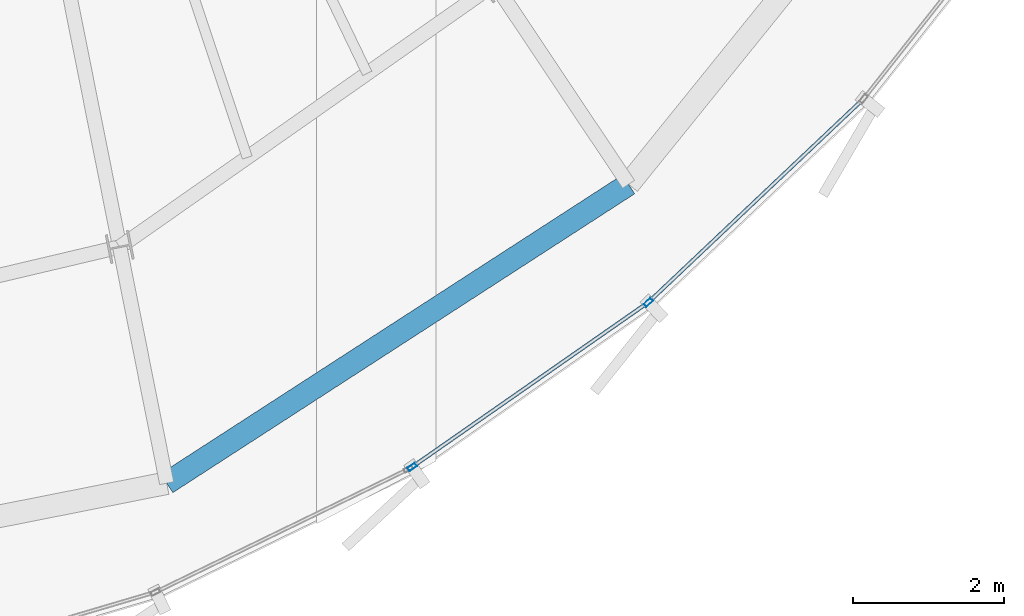
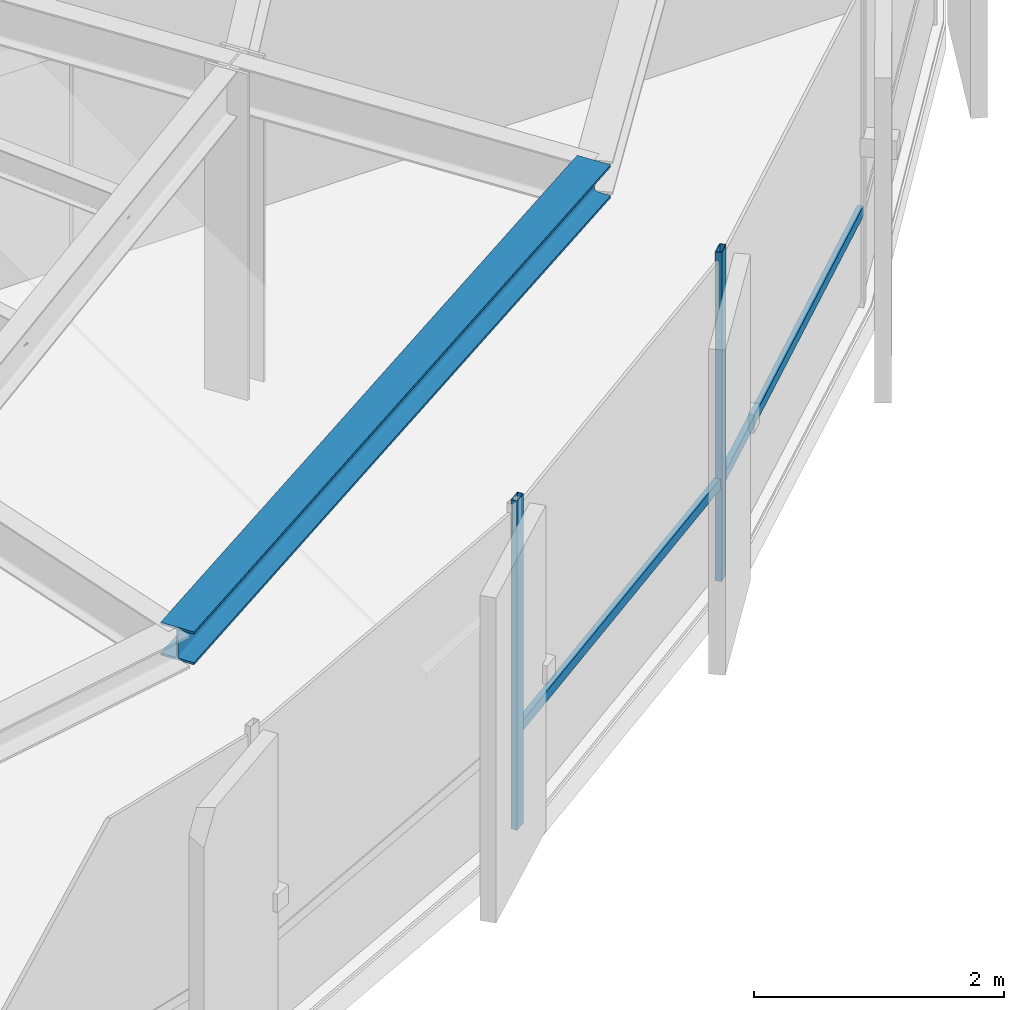
# One storey, part 7 of 34: 4 members, 1 beam, 1 element without a shape of its own.
"""IFC4 building model written with IfcOpenShell, lengths in metres."""

from ifc_helpers import new_model, si_unit, direction, frame, origin, origin_2d, place, context, subcontext, project, spatial, hollow_rectangle, i_section, extrude, source, transform, mapped, material, layer, layer_set, material_profile, profile_set, type_object, element, aggregate, save


model = new_model("IFC4")

# Units and contexts
model_context = context("Model", 3, precision=1e-05, world=origin(), true_north=direction((0.0, 1.0)))
body_context = subcontext(model_context, "Body", "Model", "MODEL_VIEW")
ifc_project = project(units=[si_unit("LENGTHUNIT", "METRE"), si_unit("AREAUNIT", "SQUARE_METRE"), si_unit("VOLUMEUNIT", "CUBIC_METRE"), si_unit("PLANEANGLEUNIT", "RADIAN"), si_unit("MASSUNIT", "GRAM", prefix="KILO"), si_unit("THERMODYNAMICTEMPERATUREUNIT", "KELVIN")], contexts=[model_context])

# Site, building, storey
site_placement = place(None, origin())
site = spatial("IfcSite", under=ifc_project, at=site_placement, CompositionType="ELEMENT")
building_placement = place(site_placement, origin())
building = spatial("IfcBuilding", under=site, at=building_placement, Name="Kethvar Cultural Tower", CompositionType="ELEMENT")
storey_placement = place(building_placement, frame((0.0, 0.0, 259.449951171875)))
storey = spatial("IfcBuildingStorey", under=building, at=storey_placement, Name="L68", CompositionType="ELEMENT", Elevation=259.449951171875)

# Beam
ifc_material_1 = material(Name="Steel S355J2", Category="steel")
ifc_material_profile_1 = material_profile(ifc_material_1, i_section(OverallWidth=0.300048828125, OverallDepth=0.320068359375, WebThickness=0.011474609375, FlangeThickness=0.0205078125, FilletRadius=0.027099609375, at=origin_2d()), Name="Steel S355J2 — HEB320")
ifc_profile_set_1 = profile_set([ifc_material_profile_1], Name="Steel S355J2 — HEB320")
beam_type = type_object("IfcBeamType", Name="BM-SP320", PredefinedType="SPANDREL", material=ifc_profile_set_1)
shared_shape_1 = source(origin(), body_context, "Body", "SweptSolid", [
    extrude(i_section(OverallWidth=0.300048828125, OverallDepth=0.320068359375, WebThickness=0.011474609375, FlangeThickness=0.0205078125, FilletRadius=0.027099609375, at=origin_2d()), origin(), (0.0, 0.0, 1.0), 7.309326171875),
])
beam_placement = place(storey_placement, frame((50.52587890625, 9.068359375, 3.048095703125), z_axis=(0.839562091992, 0.543263742292, 0.0), x_axis=(-0.543263742292, 0.839562091992, 0.0)))
element("IfcBeam", 1, at=beam_placement, inside=storey, type_object=beam_type, Name="L68 Perimeter Spandrel Beam SP-13", PredefinedType="SPANDREL", context=body_context, shape_type="MappedRepresentation", body=[
    mapped(shared_shape_1, transform((0.0, 0.0, 0.0), scale=1.0)),
])

# Curtain wall, members
ifc_material_2 = material(Name="Aluminium 6063-T6", Category="aluminium")
ifc_layer = layer(ifc_material_2, 0.179931640625, Name="Aluminium 6063-T6", Category="aluminium")
ifc_layer_set = layer_set([ifc_layer], Name="Aluminium 6063-T6 (180 mm)")
curtain_wall_type = type_object("IfcCurtainWallType", Name="CW-SYS-05-Z56", PredefinedType="NOTDEFINED", material=ifc_layer_set)
curtain_wall_placement = place(storey_placement, origin())
curtain_wall = element("IfcCurtainWall", 2, at=curtain_wall_placement, inside=storey, type_object=curtain_wall_type, Name="L68 Curtain Wall Run 05", PredefinedType="NOTDEFINED")
ifc_material_profile_2 = material_profile(ifc_material_2, hollow_rectangle(XDim=0.054931640625, YDim=0.1201171875, WallThickness=0.00390625, at=origin_2d()), Name="Aluminium 6063-T6 — RHS120x55x4")
ifc_profile_set_2 = profile_set([ifc_material_profile_2], Name="Aluminium 6063-T6 — RHS120x55x4")
member_type_1 = type_object("IfcMemberType", Name="CW-SYS-05-Z56-MUL", PredefinedType="MULLION", material=ifc_profile_set_2)
shared_shape_2 = source(origin(), body_context, "Body", "SweptSolid", [
    extrude(hollow_rectangle(XDim=0.054931640625, YDim=0.1201171875, WallThickness=0.00390625, at=origin_2d()), origin(), (0.0, 0.0, 1.0), 3.2099609375),
])
member_1_placement = place(storey_placement, frame((53.78662109375, 9.283935546875, 0.0), z_axis=(0.0, 0.0, 1.0), x_axis=(-0.57184523366, 0.820361523196, 0.0)))
member_1 = element("IfcMember", 3, at=member_1_placement, type_object=member_type_1, Name="CW-L68-R05 Mullion 1", PredefinedType="MULLION", context=body_context, shape_type="MappedRepresentation", body=[
    mapped(shared_shape_2, transform((0.0, 0.0, 0.0), scale=1.0)),
])
member_2_placement = place(storey_placement, frame((56.9248046875, 11.469970703125, 0.0), z_axis=(0.0, 0.0, 1.0), x_axis=(-0.687239669177, 0.726430751765, 0.0)))
member_2 = element("IfcMember", 4, at=member_2_placement, type_object=member_type_1, Name="CW-L68-R05 Mullion 2", PredefinedType="MULLION", context=body_context, shape_type="MappedRepresentation", body=[
    mapped(shared_shape_2, transform((0.0, 0.0, 0.0), scale=1.0)),
])
ifc_material_profile_3 = material_profile(ifc_material_2, hollow_rectangle(XDim=0.050048828125, YDim=0.10009765625, WallThickness=0.00390625, at=origin_2d()), Name="Aluminium 6063-T6 — RHS100x50x4")
ifc_profile_set_3 = profile_set([ifc_material_profile_3], Name="Aluminium 6063-T6 — RHS100x50x4")
member_type_2 = type_object("IfcMemberType", Name="CW-SYS-05-Z56-TRN", PredefinedType="USERDEFINED", material=ifc_profile_set_3)
shared_shape_3 = source(origin(), body_context, "Body", "SweptSolid", [
    extrude(hollow_rectangle(XDim=0.050048828125, YDim=0.10009765625, WallThickness=0.00390625, at=origin_2d()), origin(), (0.0, 0.0, 1.0), 3.7958984375),
])
member_3_placement = place(storey_placement, frame((53.789794921875, 9.2861328125, 0.949951171875), z_axis=(0.820363422942, 0.571842508301, 0.0), x_axis=(-0.571842508301, 0.820363422942, 0.0)))
member_3 = element("IfcMember", 5, at=member_3_placement, type_object=member_type_2, Name="CW-L68-R05 Transom 1", ObjectType="TRANSOM", PredefinedType="USERDEFINED", context=body_context, shape_type="MappedRepresentation", body=[
    mapped(shared_shape_3, transform((0.0, 0.0, 0.0), scale=1.0)),
])
shared_shape_4 = source(origin(), body_context, "Body", "SweptSolid", [
    extrude(hollow_rectangle(XDim=0.050048828125, YDim=0.10009765625, WallThickness=0.00390625, at=origin_2d()), origin(), (0.0, 0.0, 1.0), 3.87060546875),
])
member_4_placement = place(storey_placement, frame((56.95361328125, 11.497314453125, 0.949951171875), z_axis=(0.726451395332, 0.687217847716, 0.0), x_axis=(-0.687217847716, 0.726451395332, 0.0)))
member_4 = element("IfcMember", 6, at=member_4_placement, type_object=member_type_2, Name="CW-L68-R05 Transom 2", ObjectType="TRANSOM", PredefinedType="USERDEFINED", context=body_context, shape_type="MappedRepresentation", body=[
    mapped(shared_shape_4, transform((0.0, 0.0, 0.0), scale=1.0)),
])
aggregate(curtain_wall, [member_1, member_2, member_3, member_4])

save(model, "model.ifc")
